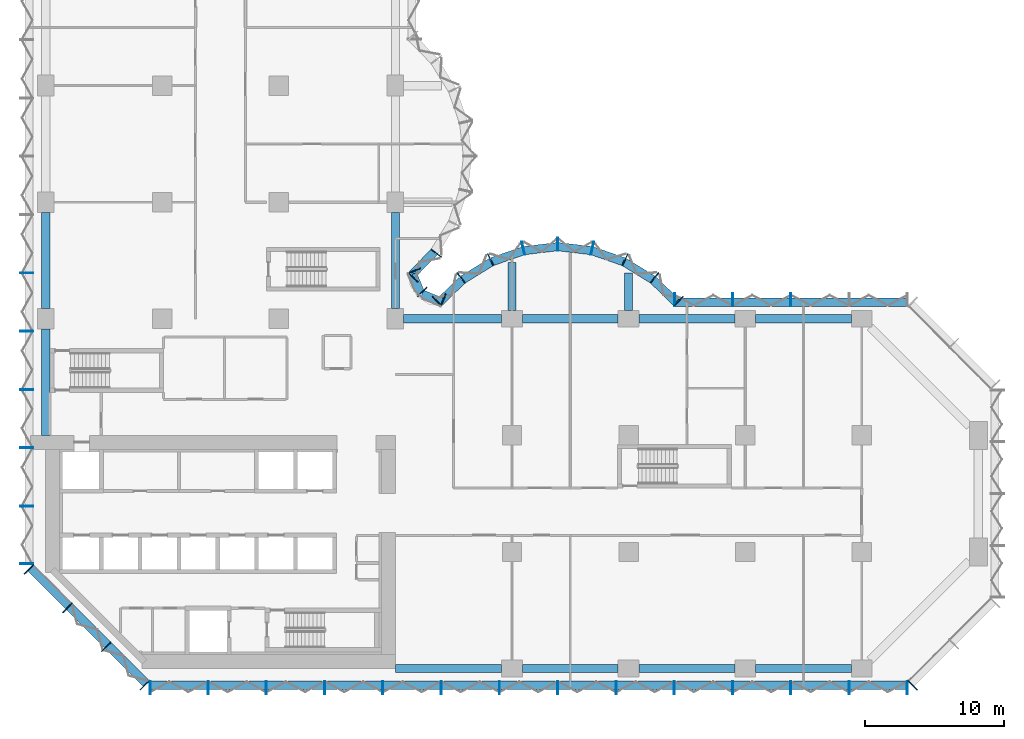
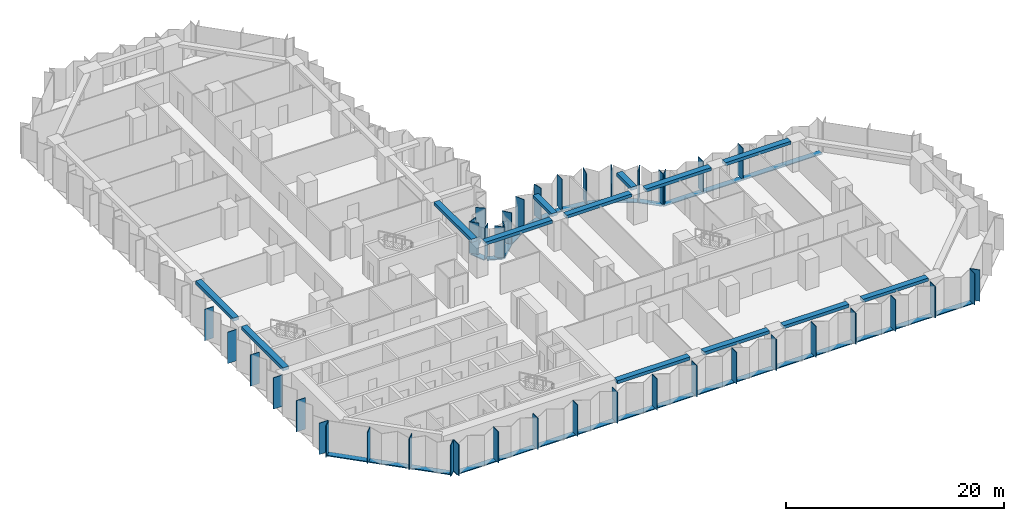
# One storey, part 2 of 15: 56 members, 13 beams, 8 elements without a shape of their own.
"""IFC4 building model written with IfcOpenShell, lengths in metres."""

from ifc_helpers import new_model, si_unit, direction, frame, origin, origin_2d, place, context, subcontext, project, spatial, rectangle, extrude, material, material_profile, profile_set, type_object, element, aggregate, save


model = new_model("IFC4")

# Units and contexts
model_context = context("Model", 3, precision=1e-05, world=origin(), true_north=direction((0.0, 1.0)))
body_context = subcontext(model_context, "Body", "Model", "MODEL_VIEW")
ifc_project = project(units=[si_unit("LENGTHUNIT", "METRE"), si_unit("AREAUNIT", "SQUARE_METRE"), si_unit("VOLUMEUNIT", "CUBIC_METRE"), si_unit("PLANEANGLEUNIT", "RADIAN"), si_unit("MASSUNIT", "GRAM", prefix="KILO")], contexts=[model_context])

# Site, building, storey
site_placement = place(None, origin())
site = spatial("IfcSite", under=ifc_project, at=site_placement, CompositionType="ELEMENT")
building_placement = place(site_placement, origin())
building = spatial("IfcBuilding", under=site, at=building_placement, Name="Brevane Broadcast Tower", CompositionType="ELEMENT")
storey_placement = place(building_placement, frame((0.0, 0.0, 72.5)))
storey = spatial("IfcBuildingStorey", under=building, at=storey_placement, Name="L16", CompositionType="ELEMENT", Elevation=72.5)

# Curtain wall, members
ifc_material_1 = material(Name="Aluminium 6063-T6 bronze anodised", Category="aluminium")
curtain_wall_type = type_object("IfcCurtainWallType", Name="CW-1 curtain wall", PredefinedType="NOTDEFINED", material=ifc_material_1)
curtain_wall_1_placement = place(storey_placement, origin())
curtain_wall_1 = element("IfcCurtainWall", 1, at=curtain_wall_1_placement, inside=storey, type_object=curtain_wall_type, Name="CW-1 typical tilted unit L16 south face", PredefinedType="NOTDEFINED")
ifc_material_profile_1 = material_profile(ifc_material_1, rectangle(XDim=0.949951171875, YDim=0.070068359375, at=origin_2d()), Name="RECT 70x950")
ifc_profile_set_1 = profile_set([ifc_material_profile_1], Name="Aluminium 6063-T6 bronze anodised")
member_type_1 = type_object("IfcMemberType", Name="CW-1 mullion 70x950", PredefinedType="MULLION", material=ifc_profile_set_1)
member_1_placement = place(storey_placement, frame((7.534912109375, -1.375, -0.14990234375), z_axis=(0.0, 0.0, 1.0), x_axis=(0.0, 1.0, 0.0)))
member_1 = element("IfcMember", 2, at=member_1_placement, type_object=member_type_1, Name="CW-1 mullion", PredefinedType="MULLION", context=body_context, shape_type="SweptSolid", body=[
    extrude(rectangle(XDim=0.949951171875, YDim=0.070068359375, at=origin_2d()), origin(), (0.0, 0.0, 1.0), 3.5),
])
member_2_placement = place(storey_placement, frame((11.699951171875, -1.375, -0.14990234375), z_axis=(0.0, 0.0, 1.0), x_axis=(0.0, 1.0, 0.0)))
member_2 = element("IfcMember", 3, at=member_2_placement, type_object=member_type_1, Name="CW-1 mullion", PredefinedType="MULLION", context=body_context, shape_type="SweptSolid", body=[
    extrude(rectangle(XDim=0.949951171875, YDim=0.070068359375, at=origin_2d()), origin(), (0.0, 0.0, 1.0), 3.5),
])
member_3_placement = place(storey_placement, frame((15.89990234375, -1.375, -0.14990234375), z_axis=(0.0, 0.0, 1.0), x_axis=(0.0, 1.0, 0.0)))
member_3 = element("IfcMember", 4, at=member_3_placement, type_object=member_type_1, Name="CW-1 mullion", PredefinedType="MULLION", context=body_context, shape_type="SweptSolid", body=[
    extrude(rectangle(XDim=0.949951171875, YDim=0.070068359375, at=origin_2d()), origin(), (0.0, 0.0, 1.0), 3.5),
])
member_4_placement = place(storey_placement, frame((20.10009765625, -1.375, -0.14990234375), z_axis=(0.0, 0.0, 1.0), x_axis=(0.0, 1.0, 0.0)))
member_4 = element("IfcMember", 5, at=member_4_placement, type_object=member_type_1, Name="CW-1 mullion", PredefinedType="MULLION", context=body_context, shape_type="SweptSolid", body=[
    extrude(rectangle(XDim=0.949951171875, YDim=0.070068359375, at=origin_2d()), origin(), (0.0, 0.0, 1.0), 3.5),
])
member_5_placement = place(storey_placement, frame((24.300048828125, -1.375, -0.14990234375), z_axis=(0.0, 0.0, 1.0), x_axis=(0.0, 1.0, 0.0)))
member_5 = element("IfcMember", 6, at=member_5_placement, type_object=member_type_1, Name="CW-1 mullion", PredefinedType="MULLION", context=body_context, shape_type="SweptSolid", body=[
    extrude(rectangle(XDim=0.949951171875, YDim=0.070068359375, at=origin_2d()), origin(), (0.0, 0.0, 1.0), 3.5),
])
member_6_placement = place(storey_placement, frame((28.5, -1.375, -0.14990234375), z_axis=(0.0, 0.0, 1.0), x_axis=(0.0, 1.0, 0.0)))
member_6 = element("IfcMember", 7, at=member_6_placement, type_object=member_type_1, Name="CW-1 mullion", PredefinedType="MULLION", context=body_context, shape_type="SweptSolid", body=[
    extrude(rectangle(XDim=0.949951171875, YDim=0.070068359375, at=origin_2d()), origin(), (0.0, 0.0, 1.0), 3.5),
])
member_7_placement = place(storey_placement, frame((32.699951171875, -1.375, -0.14990234375), z_axis=(0.0, 0.0, 1.0), x_axis=(0.0, 1.0, 0.0)))
member_7 = element("IfcMember", 8, at=member_7_placement, type_object=member_type_1, Name="CW-1 mullion", PredefinedType="MULLION", context=body_context, shape_type="SweptSolid", body=[
    extrude(rectangle(XDim=0.949951171875, YDim=0.070068359375, at=origin_2d()), origin(), (0.0, 0.0, 1.0), 3.5),
])
member_8_placement = place(storey_placement, frame((36.89990234375, -1.375, -0.14990234375), z_axis=(0.0, 0.0, 1.0), x_axis=(0.0, 1.0, 0.0)))
member_8 = element("IfcMember", 9, at=member_8_placement, type_object=member_type_1, Name="CW-1 mullion", PredefinedType="MULLION", context=body_context, shape_type="SweptSolid", body=[
    extrude(rectangle(XDim=0.949951171875, YDim=0.070068359375, at=origin_2d()), origin(), (0.0, 0.0, 1.0), 3.5),
])
member_9_placement = place(storey_placement, frame((41.10009765625, -1.375, -0.14990234375), z_axis=(0.0, 0.0, 1.0), x_axis=(0.0, 1.0, 0.0)))
member_9 = element("IfcMember", 10, at=member_9_placement, type_object=member_type_1, Name="CW-1 mullion", PredefinedType="MULLION", context=body_context, shape_type="SweptSolid", body=[
    extrude(rectangle(XDim=0.949951171875, YDim=0.070068359375, at=origin_2d()), origin(), (0.0, 0.0, 1.0), 3.5),
])
member_10_placement = place(storey_placement, frame((45.300048828125, -1.375, -0.14990234375), z_axis=(0.0, 0.0, 1.0), x_axis=(0.0, 1.0, 0.0)))
member_10 = element("IfcMember", 11, at=member_10_placement, type_object=member_type_1, Name="CW-1 mullion", PredefinedType="MULLION", context=body_context, shape_type="SweptSolid", body=[
    extrude(rectangle(XDim=0.949951171875, YDim=0.070068359375, at=origin_2d()), origin(), (0.0, 0.0, 1.0), 3.5),
])
member_11_placement = place(storey_placement, frame((49.5, -1.375, -0.14990234375), z_axis=(0.0, 0.0, 1.0), x_axis=(0.0, 1.0, 0.0)))
member_11 = element("IfcMember", 12, at=member_11_placement, type_object=member_type_1, Name="CW-1 mullion", PredefinedType="MULLION", context=body_context, shape_type="SweptSolid", body=[
    extrude(rectangle(XDim=0.949951171875, YDim=0.070068359375, at=origin_2d()), origin(), (0.0, 0.0, 1.0), 3.5),
])
member_12_placement = place(storey_placement, frame((53.699951171875, -1.375, -0.14990234375), z_axis=(0.0, 0.0, 1.0), x_axis=(0.0, 1.0, 0.0)))
member_12 = element("IfcMember", 13, at=member_12_placement, type_object=member_type_1, Name="CW-1 mullion", PredefinedType="MULLION", context=body_context, shape_type="SweptSolid", body=[
    extrude(rectangle(XDim=0.949951171875, YDim=0.070068359375, at=origin_2d()), origin(), (0.0, 0.0, 1.0), 3.5),
])
member_13_placement = place(storey_placement, frame((57.89990234375, -1.375, -0.14990234375), z_axis=(0.0, 0.0, 1.0), x_axis=(0.0, 1.0, 0.0)))
member_13 = element("IfcMember", 14, at=member_13_placement, type_object=member_type_1, Name="CW-1 mullion", PredefinedType="MULLION", context=body_context, shape_type="SweptSolid", body=[
    extrude(rectangle(XDim=0.949951171875, YDim=0.070068359375, at=origin_2d()), origin(), (0.0, 0.0, 1.0), 3.5),
])
member_14_placement = place(storey_placement, frame((62.06494140625, -1.375, -0.14990234375), z_axis=(0.0, 0.0, 1.0), x_axis=(0.0, 1.0, 0.0)))
member_14 = element("IfcMember", 15, at=member_14_placement, type_object=member_type_1, Name="CW-1 mullion", PredefinedType="MULLION", context=body_context, shape_type="SweptSolid", body=[
    extrude(rectangle(XDim=0.949951171875, YDim=0.070068359375, at=origin_2d()), origin(), (0.0, 0.0, 1.0), 3.5),
])

# Curtain wall, member
curtain_wall_2_placement = place(storey_placement, origin())
curtain_wall_2 = element("IfcCurtainWall", 16, at=curtain_wall_2_placement, inside=storey, type_object=curtain_wall_type, Name="CW-1 typical tilted unit L16 south-east chamfer", PredefinedType="NOTDEFINED")
member_15_placement = place(storey_placement, frame((62.460693359375, -1.211181640625, -0.14990234375), z_axis=(0.0, 0.0, 1.0), x_axis=(-0.707106781187, 0.707106781187, 0.0)))
member_15 = element("IfcMember", 17, at=member_15_placement, type_object=member_type_1, Name="CW-1 mullion", PredefinedType="MULLION", context=body_context, shape_type="SweptSolid", body=[
    extrude(rectangle(XDim=0.949951171875, YDim=0.070068359375, at=origin_2d()), origin(), (0.0, 0.0, 1.0), 3.5),
])
aggregate(curtain_wall_2, [member_15])

# Curtain wall, members
curtain_wall_3_placement = place(storey_placement, origin())
curtain_wall_3 = element("IfcCurtainWall", 18, at=curtain_wall_3_placement, inside=storey, type_object=curtain_wall_type, Name="CW-1 typical tilted unit L16 east arm north face", PredefinedType="NOTDEFINED")
member_16_placement = place(storey_placement, frame((53.699951171875, 26.574951171875, -0.14990234375), z_axis=(0.0, 0.0, 1.0), x_axis=(0.0, -1.0, 0.0)))
member_16 = element("IfcMember", 19, at=member_16_placement, type_object=member_type_1, Name="CW-1 mullion", PredefinedType="MULLION", context=body_context, shape_type="SweptSolid", body=[
    extrude(rectangle(XDim=0.949951171875, YDim=0.070068359375, at=origin_2d()), origin(), (0.0, 0.0, 1.0), 3.5),
])
member_17_placement = place(storey_placement, frame((49.5, 26.574951171875, -0.14990234375), z_axis=(0.0, 0.0, 1.0), x_axis=(0.0, -1.0, 0.0)))
member_17 = element("IfcMember", 20, at=member_17_placement, type_object=member_type_1, Name="CW-1 mullion", PredefinedType="MULLION", context=body_context, shape_type="SweptSolid", body=[
    extrude(rectangle(XDim=0.949951171875, YDim=0.070068359375, at=origin_2d()), origin(), (0.0, 0.0, 1.0), 3.5),
])
member_18_placement = place(storey_placement, frame((45.3349609375, 26.574951171875, -0.14990234375), z_axis=(0.0, 0.0, 1.0), x_axis=(0.0, -1.0, 0.0)))
member_18 = element("IfcMember", 21, at=member_18_placement, type_object=member_type_1, Name="CW-1 mullion", PredefinedType="MULLION", context=body_context, shape_type="SweptSolid", body=[
    extrude(rectangle(XDim=0.949951171875, YDim=0.070068359375, at=origin_2d()), origin(), (0.0, 0.0, 1.0), 3.5),
])

curtain_wall_4_placement = place(storey_placement, origin())
curtain_wall_4 = element("IfcCurtainWall", 22, at=curtain_wall_4_placement, inside=storey, type_object=curtain_wall_type, Name="CW-1 typical tilted unit L16 east bow", PredefinedType="NOTDEFINED")
member_19_placement = place(storey_placement, frame((45.60595703125, 26.465087890625, -0.14990234375), z_axis=(0.0, 0.0, 1.0), x_axis=(-0.696811941702, -0.717253872699, 0.0)))
member_19 = element("IfcMember", 23, at=member_19_placement, type_object=member_type_1, Name="CW-1 mullion", PredefinedType="MULLION", context=body_context, shape_type="SweptSolid", body=[
    extrude(rectangle(XDim=0.949951171875, YDim=0.070068359375, at=origin_2d()), origin(), (0.0, 0.0, 1.0), 3.5),
])
member_20_placement = place(storey_placement, frame((43.8720703125, 28.1455078125, -0.14990234375), z_axis=(0.0, 0.0, 1.0), x_axis=(-0.614769738617, -0.788706642853, 0.0)))
member_20 = element("IfcMember", 24, at=member_20_placement, type_object=member_type_1, Name="CW-1 mullion", PredefinedType="MULLION", context=body_context, shape_type="SweptSolid", body=[
    extrude(rectangle(XDim=0.949951171875, YDim=0.070068359375, at=origin_2d()), origin(), (0.0, 0.0, 1.0), 3.5),
])
member_21_placement = place(storey_placement, frame((41.746826171875, 29.4580078125, -0.14990234375), z_axis=(0.0, 0.0, 1.0), x_axis=(-0.429933601163, -0.902860508933, 0.0)))
member_21 = element("IfcMember", 25, at=member_21_placement, type_object=member_type_1, Name="CW-1 mullion", PredefinedType="MULLION", context=body_context, shape_type="SweptSolid", body=[
    extrude(rectangle(XDim=0.949951171875, YDim=0.070068359375, at=origin_2d()), origin(), (0.0, 0.0, 1.0), 3.5),
])
member_22_placement = place(storey_placement, frame((39.38818359375, 30.28076171875, -0.14990234375), z_axis=(0.0, 0.0, 1.0), x_axis=(-0.224806482215, -0.974403430594, 0.0)))
member_22 = element("IfcMember", 26, at=member_22_placement, type_object=member_type_1, Name="CW-1 mullion", PredefinedType="MULLION", context=body_context, shape_type="SweptSolid", body=[
    extrude(rectangle(XDim=0.949951171875, YDim=0.070068359375, at=origin_2d()), origin(), (0.0, 0.0, 1.0), 3.5),
])
member_23_placement = place(storey_placement, frame((36.89990234375, 30.574951171875, -0.14990234375), z_axis=(0.0, 0.0, 1.0), x_axis=(0.0, -1.0, 0.0)))
member_23 = element("IfcMember", 27, at=member_23_placement, type_object=member_type_1, Name="CW-1 mullion", PredefinedType="MULLION", context=body_context, shape_type="SweptSolid", body=[
    extrude(rectangle(XDim=0.949951171875, YDim=0.070068359375, at=origin_2d()), origin(), (0.0, 0.0, 1.0), 3.5),
])
member_24_placement = place(storey_placement, frame((34.411865234375, 30.28076171875, -0.14990234375), z_axis=(0.0, 0.0, 1.0), x_axis=(0.224806482215, -0.974403430594, 0.0)))
member_24 = element("IfcMember", 28, at=member_24_placement, type_object=member_type_1, Name="CW-1 mullion", PredefinedType="MULLION", context=body_context, shape_type="SweptSolid", body=[
    extrude(rectangle(XDim=0.949951171875, YDim=0.070068359375, at=origin_2d()), origin(), (0.0, 0.0, 1.0), 3.5),
])
member_25_placement = place(storey_placement, frame((32.05322265625, 29.4580078125, -0.14990234375), z_axis=(0.0, 0.0, 1.0), x_axis=(0.429933601163, -0.902860508933, 0.0)))
member_25 = element("IfcMember", 29, at=member_25_placement, type_object=member_type_1, Name="CW-1 mullion", PredefinedType="MULLION", context=body_context, shape_type="SweptSolid", body=[
    extrude(rectangle(XDim=0.949951171875, YDim=0.070068359375, at=origin_2d()), origin(), (0.0, 0.0, 1.0), 3.5),
])
member_26_placement = place(storey_placement, frame((29.927978515625, 28.1455078125, -0.14990234375), z_axis=(0.0, 0.0, 1.0), x_axis=(0.614769738617, -0.788706642853, 0.0)))
member_26 = element("IfcMember", 30, at=member_26_placement, type_object=member_type_1, Name="CW-1 mullion", PredefinedType="MULLION", context=body_context, shape_type="SweptSolid", body=[
    extrude(rectangle(XDim=0.949951171875, YDim=0.070068359375, at=origin_2d()), origin(), (0.0, 0.0, 1.0), 3.5),
])
member_27_placement = place(storey_placement, frame((28.194091796875, 26.465087890625, -0.14990234375), z_axis=(0.0, 0.0, 1.0), x_axis=(0.696811941702, -0.717253872699, 0.0)))
member_27 = element("IfcMember", 31, at=member_27_placement, type_object=member_type_1, Name="CW-1 mullion", PredefinedType="MULLION", context=body_context, shape_type="SweptSolid", body=[
    extrude(rectangle(XDim=0.949951171875, YDim=0.070068359375, at=origin_2d()), origin(), (0.0, 0.0, 1.0), 3.5),
])

curtain_wall_5_placement = place(storey_placement, origin())
curtain_wall_5 = element("IfcCurtainWall", 32, at=curtain_wall_5_placement, inside=storey, type_object=curtain_wall_type, Name="CW-1 typical tilted unit L16 inner corner", PredefinedType="NOTDEFINED")
member_28_placement = place(storey_placement, frame((28.6494140625, 26.55224609375, -0.14990234375), z_axis=(0.0, 0.0, 1.0), x_axis=(-0.382683612978, -0.923879457699, 0.0)))
member_28 = element("IfcMember", 33, at=member_28_placement, type_object=member_type_1, Name="CW-1 mullion", PredefinedType="MULLION", context=body_context, shape_type="SweptSolid", body=[
    extrude(rectangle(XDim=0.949951171875, YDim=0.070068359375, at=origin_2d()), origin(), (0.0, 0.0, 1.0), 3.5),
])
member_29_placement = place(storey_placement, frame((27.138916015625, 27.138916015625, -0.14990234375), z_axis=(0.0, 0.0, 1.0), x_axis=(-0.707106781187, -0.707106781187, 0.0)))
member_29 = element("IfcMember", 34, at=member_29_placement, type_object=member_type_1, Name="CW-1 mullion", PredefinedType="MULLION", context=body_context, shape_type="SweptSolid", body=[
    extrude(rectangle(XDim=0.949951171875, YDim=0.070068359375, at=origin_2d()), origin(), (0.0, 0.0, 1.0), 3.5),
])
member_30_placement = place(storey_placement, frame((26.55224609375, 28.6494140625, -0.14990234375), z_axis=(0.0, 0.0, 1.0), x_axis=(-0.923879457699, -0.382683612978, 0.0)))
member_30 = element("IfcMember", 35, at=member_30_placement, type_object=member_type_1, Name="CW-1 mullion", PredefinedType="MULLION", context=body_context, shape_type="SweptSolid", body=[
    extrude(rectangle(XDim=0.949951171875, YDim=0.070068359375, at=origin_2d()), origin(), (0.0, 0.0, 1.0), 3.5),
])

curtain_wall_6_placement = place(storey_placement, origin())
curtain_wall_6 = element("IfcCurtainWall", 36, at=curtain_wall_6_placement, inside=storey, type_object=curtain_wall_type, Name="CW-1 typical tilted unit L16 north bow", PredefinedType="NOTDEFINED")
member_31_placement = place(storey_placement, frame((26.465087890625, 28.194091796875, -0.14990234375), z_axis=(0.0, 0.0, 1.0), x_axis=(-0.717253872699, 0.696811941702, 0.0)))
member_31 = element("IfcMember", 37, at=member_31_placement, type_object=member_type_1, Name="CW-1 mullion", PredefinedType="MULLION", context=body_context, shape_type="SweptSolid", body=[
    extrude(rectangle(XDim=0.949951171875, YDim=0.070068359375, at=origin_2d()), origin(), (0.0, 0.0, 1.0), 3.5),
])
member_32_placement = place(storey_placement, frame((28.1455078125, 29.927978515625, -0.14990234375), z_axis=(0.0, 0.0, 1.0), x_axis=(-0.788706642853, 0.614769738617, 0.0)))
member_32 = element("IfcMember", 38, at=member_32_placement, type_object=member_type_1, Name="CW-1 mullion", PredefinedType="MULLION", context=body_context, shape_type="SweptSolid", body=[
    extrude(rectangle(XDim=0.949951171875, YDim=0.070068359375, at=origin_2d()), origin(), (0.0, 0.0, 1.0), 3.5),
])

curtain_wall_7_placement = place(storey_placement, origin())
curtain_wall_7 = element("IfcCurtainWall", 39, at=curtain_wall_7_placement, inside=storey, type_object=curtain_wall_type, Name="CW-1 typical tilted unit L16 west face", PredefinedType="NOTDEFINED")
member_33_placement = place(storey_placement, frame((-1.375, 28.5, -0.14990234375), z_axis=(0.0, 0.0, 1.0), x_axis=(1.0, 0.0, 0.0)))
member_33 = element("IfcMember", 40, at=member_33_placement, type_object=member_type_1, Name="CW-1 mullion", PredefinedType="MULLION", context=body_context, shape_type="SweptSolid", body=[
    extrude(rectangle(XDim=0.949951171875, YDim=0.070068359375, at=origin_2d()), origin(), (0.0, 0.0, 1.0), 3.5),
])
member_34_placement = place(storey_placement, frame((-1.375, 24.300048828125, -0.14990234375), z_axis=(0.0, 0.0, 1.0), x_axis=(1.0, 0.0, 0.0)))
member_34 = element("IfcMember", 41, at=member_34_placement, type_object=member_type_1, Name="CW-1 mullion", PredefinedType="MULLION", context=body_context, shape_type="SweptSolid", body=[
    extrude(rectangle(XDim=0.949951171875, YDim=0.070068359375, at=origin_2d()), origin(), (0.0, 0.0, 1.0), 3.5),
])
member_35_placement = place(storey_placement, frame((-1.375, 20.10009765625, -0.14990234375), z_axis=(0.0, 0.0, 1.0), x_axis=(1.0, 0.0, 0.0)))
member_35 = element("IfcMember", 42, at=member_35_placement, type_object=member_type_1, Name="CW-1 mullion", PredefinedType="MULLION", context=body_context, shape_type="SweptSolid", body=[
    extrude(rectangle(XDim=0.949951171875, YDim=0.070068359375, at=origin_2d()), origin(), (0.0, 0.0, 1.0), 3.5),
])
member_36_placement = place(storey_placement, frame((-1.375, 15.89990234375, -0.14990234375), z_axis=(0.0, 0.0, 1.0), x_axis=(1.0, 0.0, 0.0)))
member_36 = element("IfcMember", 43, at=member_36_placement, type_object=member_type_1, Name="CW-1 mullion", PredefinedType="MULLION", context=body_context, shape_type="SweptSolid", body=[
    extrude(rectangle(XDim=0.949951171875, YDim=0.070068359375, at=origin_2d()), origin(), (0.0, 0.0, 1.0), 3.5),
])
member_37_placement = place(storey_placement, frame((-1.375, 11.699951171875, -0.14990234375), z_axis=(0.0, 0.0, 1.0), x_axis=(1.0, 0.0, 0.0)))
member_37 = element("IfcMember", 44, at=member_37_placement, type_object=member_type_1, Name="CW-1 mullion", PredefinedType="MULLION", context=body_context, shape_type="SweptSolid", body=[
    extrude(rectangle(XDim=0.949951171875, YDim=0.070068359375, at=origin_2d()), origin(), (0.0, 0.0, 1.0), 3.5),
])
member_38_placement = place(storey_placement, frame((-1.375, 7.534912109375, -0.14990234375), z_axis=(0.0, 0.0, 1.0), x_axis=(1.0, 0.0, 0.0)))
member_38 = element("IfcMember", 45, at=member_38_placement, type_object=member_type_1, Name="CW-1 mullion", PredefinedType="MULLION", context=body_context, shape_type="SweptSolid", body=[
    extrude(rectangle(XDim=0.949951171875, YDim=0.070068359375, at=origin_2d()), origin(), (0.0, 0.0, 1.0), 3.5),
])
aggregate(curtain_wall_7, [member_33, member_34, member_35, member_36, member_37, member_38])

curtain_wall_8_placement = place(storey_placement, origin())
curtain_wall_8 = element("IfcCurtainWall", 46, at=curtain_wall_8_placement, inside=storey, type_object=curtain_wall_type, Name="CW-1 typical tilted unit L16 south-west chamfer", PredefinedType="NOTDEFINED")
member_39_placement = place(storey_placement, frame((-1.211181640625, 7.139404296875, -0.14990234375), z_axis=(0.0, 0.0, 1.0), x_axis=(0.707106781187, 0.707106781187, 0.0)))
member_39 = element("IfcMember", 47, at=member_39_placement, type_object=member_type_1, Name="CW-1 mullion", PredefinedType="MULLION", context=body_context, shape_type="SweptSolid", body=[
    extrude(rectangle(XDim=0.949951171875, YDim=0.070068359375, at=origin_2d()), origin(), (0.0, 0.0, 1.0), 3.5),
])
member_40_placement = place(storey_placement, frame((1.564208984375, 4.364013671875, -0.14990234375), z_axis=(0.0, 0.0, 1.0), x_axis=(0.707106781187, 0.707106781187, 0.0)))
member_40 = element("IfcMember", 48, at=member_40_placement, type_object=member_type_1, Name="CW-1 mullion", PredefinedType="MULLION", context=body_context, shape_type="SweptSolid", body=[
    extrude(rectangle(XDim=0.949951171875, YDim=0.070068359375, at=origin_2d()), origin(), (0.0, 0.0, 1.0), 3.5),
])
member_41_placement = place(storey_placement, frame((4.364013671875, 1.564208984375, -0.14990234375), z_axis=(0.0, 0.0, 1.0), x_axis=(0.707106781187, 0.707106781187, 0.0)))
member_41 = element("IfcMember", 49, at=member_41_placement, type_object=member_type_1, Name="CW-1 mullion", PredefinedType="MULLION", context=body_context, shape_type="SweptSolid", body=[
    extrude(rectangle(XDim=0.949951171875, YDim=0.070068359375, at=origin_2d()), origin(), (0.0, 0.0, 1.0), 3.5),
])
member_42_placement = place(storey_placement, frame((7.139404296875, -1.211181640625, -0.14990234375), z_axis=(0.0, 0.0, 1.0), x_axis=(0.707106781187, 0.707106781187, 0.0)))
member_42 = element("IfcMember", 50, at=member_42_placement, type_object=member_type_1, Name="CW-1 mullion", PredefinedType="MULLION", context=body_context, shape_type="SweptSolid", body=[
    extrude(rectangle(XDim=0.949951171875, YDim=0.070068359375, at=origin_2d()), origin(), (0.0, 0.0, 1.0), 3.5),
])

# Member
ifc_material_profile_2 = material_profile(ifc_material_1, rectangle(XDim=0.60009765625, YDim=0.10009765625, at=origin_2d()), Name="RECT 100x600")
ifc_profile_set_2 = profile_set([ifc_material_profile_2], Name="Aluminium 6063-T6 bronze anodised")
member_type_2 = type_object("IfcMemberType", Name="CW-1 transom 100x600", PredefinedType="USERDEFINED", material=ifc_profile_set_2)
member_43_placement = place(storey_placement, frame((7.5, -1.199951171875, -0.199951171875), z_axis=(1.0, 0.0, 0.0), x_axis=(0.0, 1.0, 0.0)))
member_43 = element("IfcMember", 51, at=member_43_placement, type_object=member_type_2, Name="CW-1 transom", ObjectType="TRANSOM", PredefinedType="USERDEFINED", context=body_context, shape_type="SweptSolid", body=[
    extrude(rectangle(XDim=0.60009765625, YDim=0.10009765625, at=origin_2d()), origin(), (0.0, 0.0, 1.0), 54.60009765625),
])

aggregate(curtain_wall_1, [member_1, member_2, member_3, member_4, member_5, member_6, member_7, member_8, member_9, member_10, member_11, member_12, member_13, member_14, member_43])

member_44_placement = place(storey_placement, frame((62.10009765625, 26.39990234375, -0.199951171875), z_axis=(-1.0, 0.0, 0.0), x_axis=(0.0, -1.0, 0.0)))
member_44 = element("IfcMember", 52, at=member_44_placement, type_object=member_type_2, Name="CW-1 transom", ObjectType="TRANSOM", PredefinedType="USERDEFINED", context=body_context, shape_type="SweptSolid", body=[
    extrude(rectangle(XDim=0.60009765625, YDim=0.10009765625, at=origin_2d()), origin(), (0.0, 0.0, 1.0), 16.800048828125),
])

aggregate(curtain_wall_3, [member_16, member_17, member_18, member_44])

member_45_placement = place(storey_placement, frame((45.412841796875, 26.407958984375, -0.199951171875), z_axis=(-0.71724215871, 0.696823999134, 0.0), x_axis=(-0.696823999134, -0.71724215871, 0.0)))
member_45 = element("IfcMember", 53, at=member_45_placement, type_object=member_type_2, Name="CW-1 transom", ObjectType="TRANSOM", PredefinedType="USERDEFINED", context=body_context, shape_type="SweptSolid", body=[
    extrude(rectangle(XDim=0.60009765625, YDim=0.10009765625, at=origin_2d()), origin(), (0.0, 0.0, 1.0), 2.247802734375),
])

member_46_placement = place(storey_placement, frame((43.7421875, 28.023193359375, -0.199951171875), z_axis=(-0.850810063131, 0.525473345162, 0.0), x_axis=(-0.525473345162, -0.850810063131, 0.0)))
member_46 = element("IfcMember", 54, at=member_46_placement, type_object=member_type_2, Name="CW-1 transom", ObjectType="TRANSOM", PredefinedType="USERDEFINED", context=body_context, shape_type="SweptSolid", body=[
    extrude(rectangle(XDim=0.60009765625, YDim=0.10009765625, at=origin_2d()), origin(), (0.0, 0.0, 1.0), 2.39453125),
])

member_47_placement = place(storey_placement, frame((41.63623046875, 29.314208984375, -0.199951171875), z_axis=(-0.944197969542, 0.329378497041, 0.0), x_axis=(-0.329378497041, -0.944197969542, 0.0)))
member_47 = element("IfcMember", 55, at=member_47_placement, type_object=member_type_2, Name="CW-1 transom", ObjectType="TRANSOM", PredefinedType="USERDEFINED", context=body_context, shape_type="SweptSolid", body=[
    extrude(rectangle(XDim=0.60009765625, YDim=0.10009765625, at=origin_2d()), origin(), (0.0, 0.0, 1.0), 2.394775390625),
])

member_48_placement = place(storey_placement, frame((39.30029296875, 30.117431640625, -0.199951171875), z_axis=(-0.993062061831, 0.117591417, 0.0), x_axis=(-0.117591417, -0.993062061831, 0.0)))
member_48 = element("IfcMember", 56, at=member_48_placement, type_object=member_type_2, Name="CW-1 transom", ObjectType="TRANSOM", PredefinedType="USERDEFINED", context=body_context, shape_type="SweptSolid", body=[
    extrude(rectangle(XDim=0.60009765625, YDim=0.10009765625, at=origin_2d()), origin(), (0.0, 0.0, 1.0), 2.39794921875),
])

member_49_placement = place(storey_placement, frame((36.880859375, 30.3994140625, -0.199951171875), z_axis=(-0.993060653805, -0.117603307202, 0.0), x_axis=(0.117603307202, -0.993060653805, 0.0)))
member_49 = element("IfcMember", 57, at=member_49_placement, type_object=member_type_2, Name="CW-1 transom", ObjectType="TRANSOM", PredefinedType="USERDEFINED", context=body_context, shape_type="SweptSolid", body=[
    extrude(rectangle(XDim=0.60009765625, YDim=0.10009765625, at=origin_2d()), origin(), (0.0, 0.0, 1.0), 2.397705078125),
])

member_50_placement = place(storey_placement, frame((34.425048828125, 30.10302734375, -0.199951171875), z_axis=(-0.944197969542, -0.329378497041, 0.0), x_axis=(0.329378497041, -0.944197969542, 0.0)))
member_50 = element("IfcMember", 58, at=member_50_placement, type_object=member_type_2, Name="CW-1 transom", ObjectType="TRANSOM", PredefinedType="USERDEFINED", context=body_context, shape_type="SweptSolid", body=[
    extrude(rectangle(XDim=0.60009765625, YDim=0.10009765625, at=origin_2d()), origin(), (0.0, 0.0, 1.0), 2.394775390625),
])

member_51_placement = place(storey_placement, frame((32.09521484375, 29.281494140625, -0.199951171875), z_axis=(-0.850838211365, -0.525427766759, 0.0), x_axis=(0.525427766759, -0.850838211365, 0.0)))
member_51 = element("IfcMember", 59, at=member_51_placement, type_object=member_type_2, Name="CW-1 transom", ObjectType="TRANSOM", PredefinedType="USERDEFINED", context=body_context, shape_type="SweptSolid", body=[
    extrude(rectangle(XDim=0.60009765625, YDim=0.10009765625, at=origin_2d()), origin(), (0.0, 0.0, 1.0), 2.394775390625),
])

member_52_placement = place(storey_placement, frame((29.99951171875, 27.974365234375, -0.199951171875), z_axis=(-0.71724215871, -0.696823999134, 0.0), x_axis=(0.696823999134, -0.71724215871, 0.0)))
member_52 = element("IfcMember", 60, at=member_52_placement, type_object=member_type_2, Name="CW-1 transom", ObjectType="TRANSOM", PredefinedType="USERDEFINED", context=body_context, shape_type="SweptSolid", body=[
    extrude(rectangle(XDim=0.60009765625, YDim=0.10009765625, at=origin_2d()), origin(), (0.0, 0.0, 1.0), 2.247802734375),
])

aggregate(curtain_wall_4, [member_19, member_20, member_21, member_22, member_23, member_24, member_25, member_26, member_27, member_45, member_46, member_47, member_48, member_49, member_50, member_51, member_52])

member_53_placement = place(storey_placement, frame((28.528076171875, 26.40673828125, -0.199951171875), z_axis=(-0.923883243627, 0.382674472816, 0.0), x_axis=(-0.382674472816, -0.923883243627, 0.0)))
member_53 = element("IfcMember", 61, at=member_53_placement, type_object=member_type_2, Name="CW-1 transom", ObjectType="TRANSOM", PredefinedType="USERDEFINED", context=body_context, shape_type="SweptSolid", body=[
    extrude(rectangle(XDim=0.60009765625, YDim=0.10009765625, at=origin_2d()), origin(), (0.0, 0.0, 1.0), 1.536865234375),
])

member_54_placement = place(storey_placement, frame((27.039794921875, 27.0, -0.199951171875), z_axis=(-0.382674472816, 0.923883243627, 0.0), x_axis=(-0.923883243627, -0.382674472816, 0.0)))
member_54 = element("IfcMember", 62, at=member_54_placement, type_object=member_type_2, Name="CW-1 transom", ObjectType="TRANSOM", PredefinedType="USERDEFINED", context=body_context, shape_type="SweptSolid", body=[
    extrude(rectangle(XDim=0.60009765625, YDim=0.10009765625, at=origin_2d()), origin(), (0.0, 0.0, 1.0), 1.536865234375),
])

aggregate(curtain_wall_5, [member_28, member_29, member_30, member_53, member_54])

member_55_placement = place(storey_placement, frame((26.407958984375, 28.38720703125, -0.199951171875), z_axis=(0.696823999134, 0.71724215871, 0.0), x_axis=(-0.71724215871, 0.696823999134, 0.0)))
member_55 = element("IfcMember", 63, at=member_55_placement, type_object=member_type_2, Name="CW-1 transom", ObjectType="TRANSOM", PredefinedType="USERDEFINED", context=body_context, shape_type="SweptSolid", body=[
    extrude(rectangle(XDim=0.60009765625, YDim=0.10009765625, at=origin_2d()), origin(), (0.0, 0.0, 1.0), 2.247802734375),
])

aggregate(curtain_wall_6, [member_31, member_32, member_55])

member_56_placement = place(storey_placement, frame((-1.112060546875, 7.287841796875, -0.199951171875), z_axis=(0.707106781187, -0.707106781187, 0.0), x_axis=(0.707106781187, 0.707106781187, 0.0)))
member_56 = element("IfcMember", 64, at=member_56_placement, type_object=member_type_2, Name="CW-1 transom", ObjectType="TRANSOM", PredefinedType="USERDEFINED", context=body_context, shape_type="SweptSolid", body=[
    extrude(rectangle(XDim=0.60009765625, YDim=0.10009765625, at=origin_2d()), origin(), (0.0, 0.0, 1.0), 11.879150390625),
])

aggregate(curtain_wall_8, [member_39, member_40, member_41, member_42, member_56])

# Beams
ifc_material_2 = material(Name="Concrete C40/50", Category="concrete")
ifc_material_profile_3 = material_profile(ifc_material_2, rectangle(XDim=0.60009765625, YDim=0.35009765625, at=origin_2d()), Name="RC 600x350")
ifc_profile_set_3 = profile_set([ifc_material_profile_3], Name="Concrete C40/50")
beam_type_1 = type_object("IfcBeamType", Name="RC BRACKET BEAM 600x350 C40/50", PredefinedType="BEAM", material=ifc_profile_set_3)
beam_1_placement = place(storey_placement, frame((33.60009765625, 25.800048828125, 3.175048828125), z_axis=(0.0, 1.0, 0.0), x_axis=(-1.0, 0.0, 0.0)))
element("IfcBeam", 65, at=beam_1_placement, inside=storey, type_object=beam_type_1, Name="EB2 L16-3", PredefinedType="BEAM", context=body_context, shape_type="SweptSolid", body=[
    extrude(rectangle(XDim=0.60009765625, YDim=0.35009765625, at=origin_2d()), origin(), (0.0, 0.0, 1.0), 3.4619140625),
])
beam_2_placement = place(storey_placement, frame((42.0, 25.800048828125, 3.175048828125), z_axis=(0.0, 1.0, 0.0), x_axis=(-1.0, 0.0, 0.0)))
element("IfcBeam", 66, at=beam_2_placement, inside=storey, type_object=beam_type_1, Name="EB2 L16-4", PredefinedType="BEAM", context=body_context, shape_type="SweptSolid", body=[
    extrude(rectangle(XDim=0.60009765625, YDim=0.35009765625, at=origin_2d()), origin(), (0.0, 0.0, 1.0), 2.71142578125),
])
ifc_material_profile_4 = material_profile(ifc_material_2, rectangle(XDim=0.60009765625, YDim=0.35009765625, at=origin_2d()), Name="RC 600x350")
ifc_profile_set_4 = profile_set([ifc_material_profile_4], Name="Concrete C40/50")
beam_type_2 = type_object("IfcBeamType", Name="RC SPANDREL BEAM 600x350 C40/50", PredefinedType="SPANDREL", material=ifc_profile_set_4)
beam_3_placement = place(storey_placement, frame((25.199951171875, 0.0, 3.175048828125), z_axis=(1.0, 0.0, 0.0), x_axis=(0.0, 1.0, 0.0)))
element("IfcBeam", 67, at=beam_3_placement, inside=storey, type_object=beam_type_2, Name="EB1 L16-1", PredefinedType="SPANDREL", context=body_context, shape_type="SweptSolid", body=[
    extrude(rectangle(XDim=0.60009765625, YDim=0.35009765625, at=origin_2d()), origin(), (0.0, 0.0, 1.0), 7.650146484375),
])
for number, where, z_axis, x_axis, name in (
    (68, (34.35009765625, 0.0, 3.175048828125), (1.0, 0.0, 0.0), (0.0, 1.0, 0.0), "EB1 L16-2"),
    (69, (42.75, 0.0, 3.175048828125), (1.0, 0.0, 0.0), (0.0, 1.0, 0.0), "EB1 L16-3"),
):
    element("IfcBeam", number, at=place(storey_placement, frame(where, z_axis=z_axis, x_axis=x_axis)), inside=storey, type_object=beam_type_2, Name=name, PredefinedType="SPANDREL", context=body_context, shape_type="SweptSolid", body=[
        extrude(rectangle(XDim=0.60009765625, YDim=0.35009765625, at=origin_2d()), origin(), (0.0, 0.0, 1.0), 6.89990234375),
    ])
for number, where, z_axis, x_axis, name in (
    (70, (51.14990234375, 0.0, 3.175048828125), (1.0, 0.0, 0.0), (0.0, 1.0, 0.0), "EB1 L16-4"),
    (71, (58.050048828125, 25.199951171875, 3.175048828125), (-1.0, 0.0, 0.0), (0.0, -1.0, 0.0), "EB1 L16-8"),
):
    element("IfcBeam", number, at=place(storey_placement, frame(where, z_axis=z_axis, x_axis=x_axis)), inside=storey, type_object=beam_type_2, Name=name, PredefinedType="SPANDREL", context=body_context, shape_type="SweptSolid", body=[
        extrude(rectangle(XDim=0.60009765625, YDim=0.35009765625, at=origin_2d()), origin(), (0.0, 0.0, 1.0), 6.900146484375),
    ])
for number, where, z_axis, x_axis, name in (
    (72, (49.64990234375, 25.199951171875, 3.175048828125), (-1.0, 0.0, 0.0), (0.0, -1.0, 0.0), "EB1 L16-9"),
    (73, (41.25, 25.199951171875, 3.175048828125), (-1.0, 0.0, 0.0), (0.0, -1.0, 0.0), "EB1 L16-10"),
):
    element("IfcBeam", number, at=place(storey_placement, frame(where, z_axis=z_axis, x_axis=x_axis)), inside=storey, type_object=beam_type_2, Name=name, PredefinedType="SPANDREL", context=body_context, shape_type="SweptSolid", body=[
        extrude(rectangle(XDim=0.60009765625, YDim=0.35009765625, at=origin_2d()), origin(), (0.0, 0.0, 1.0), 6.89990234375),
    ])
beam_4_placement = place(storey_placement, frame((32.85009765625, 25.199951171875, 3.175048828125), z_axis=(-1.0, 0.0, 0.0), x_axis=(0.0, -1.0, 0.0)))
element("IfcBeam", 74, at=beam_4_placement, inside=storey, type_object=beam_type_2, Name="EB1 L16-11", PredefinedType="SPANDREL", context=body_context, shape_type="SweptSolid", body=[
    extrude(rectangle(XDim=0.60009765625, YDim=0.35009765625, at=origin_2d()), origin(), (0.0, 0.0, 1.0), 7.050048828125),
])
for number, where, z_axis, x_axis, name in (
    (75, (25.199951171875, 25.949951171875, 3.175048828125), (0.0, 1.0, 0.0), (-1.0, 0.0, 0.0), "EB1 L16-12"),
    (76, (0.0, 32.85009765625, 3.175048828125), (0.0, -1.0, 0.0), (1.0, 0.0, 0.0), "EB1 L16-22"),
):
    element("IfcBeam", number, at=place(storey_placement, frame(where, z_axis=z_axis, x_axis=x_axis)), inside=storey, type_object=beam_type_2, Name=name, PredefinedType="SPANDREL", context=body_context, shape_type="SweptSolid", body=[
        extrude(rectangle(XDim=0.60009765625, YDim=0.35009765625, at=origin_2d()), origin(), (0.0, 0.0, 1.0), 6.900146484375),
    ])
beam_5_placement = place(storey_placement, frame((0.0, 24.449951171875, 3.175048828125), z_axis=(0.0, -1.0, 0.0), x_axis=(1.0, 0.0, 0.0)))
element("IfcBeam", 77, at=beam_5_placement, inside=storey, type_object=beam_type_2, Name="EB1 L16-23", PredefinedType="SPANDREL", context=body_context, shape_type="SweptSolid", body=[
    extrude(rectangle(XDim=0.60009765625, YDim=0.35009765625, at=origin_2d()), origin(), (0.0, 0.0, 1.0), 7.64990234375),
])

save(model, "model.ifc")
